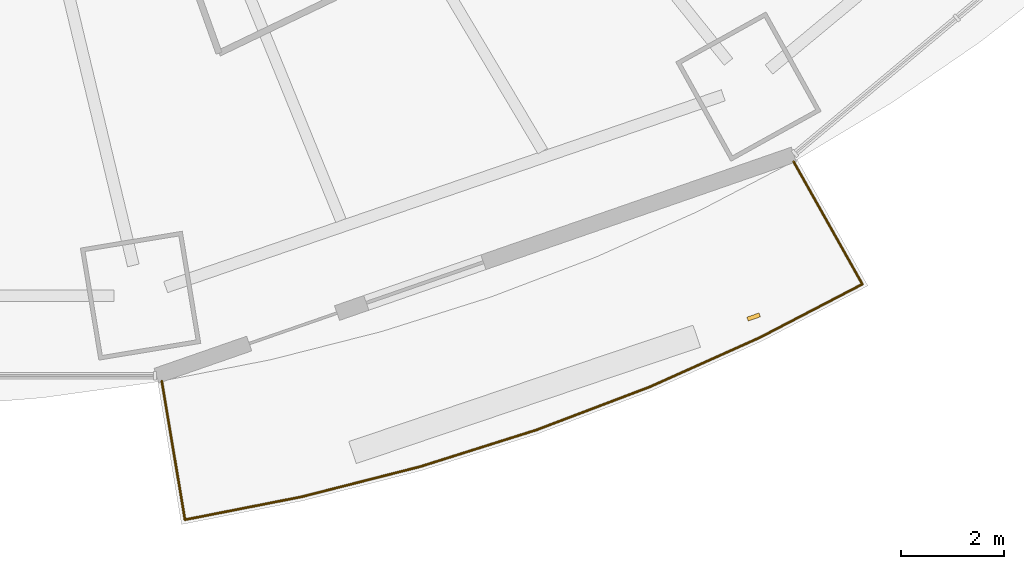
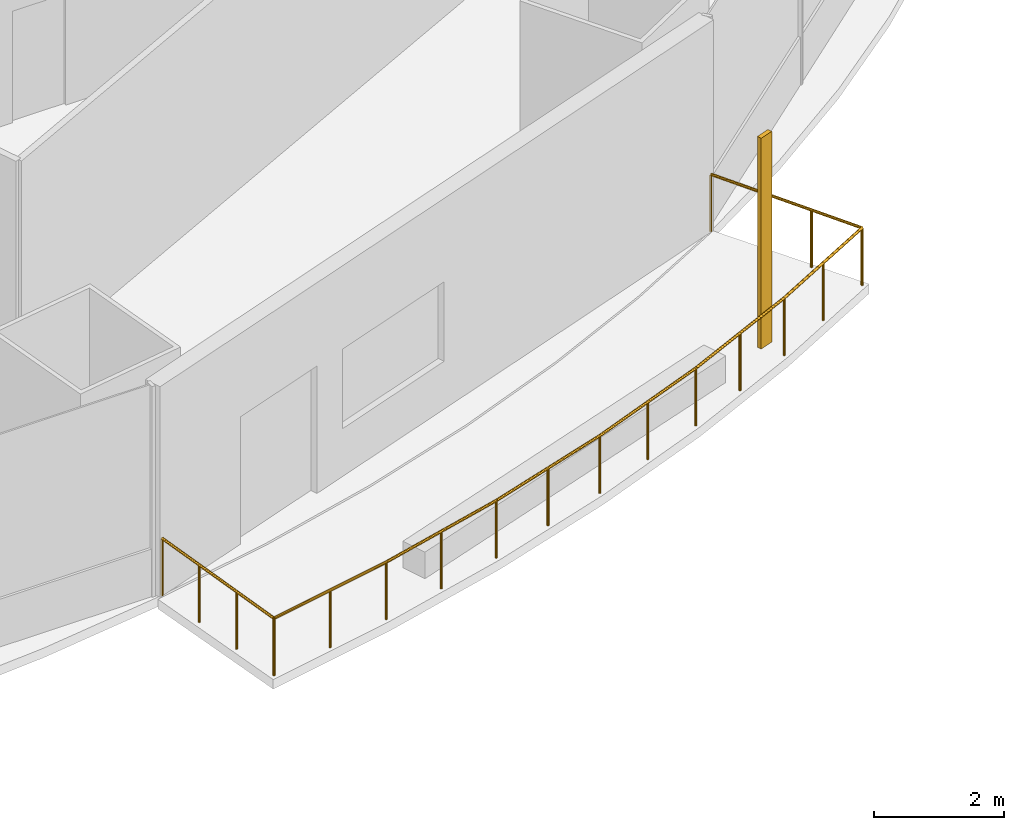
# One storey, part 18 of 22: 1 railing, 1 shading device.
"""IFC4 building model written with IfcOpenShell, lengths in metres."""

from ifc_helpers import new_model, si_unit, direction, frame, origin, origin_2d, place, context, subcontext, project, spatial, rectangle, circle, extrude, material, material_profile, profile_set, type_object, element, save


model = new_model("IFC4")

# Units and contexts
model_context = context("Model", 3, precision=1e-05, world=origin(), true_north=direction((0.0, 1.0)))
body_context = subcontext(model_context, "Body", "Model", "MODEL_VIEW")
ifc_project = project(units=[si_unit("LENGTHUNIT", "METRE"), si_unit("AREAUNIT", "SQUARE_METRE"), si_unit("VOLUMEUNIT", "CUBIC_METRE"), si_unit("PLANEANGLEUNIT", "RADIAN"), si_unit("MASSUNIT", "GRAM", prefix="KILO")], contexts=[model_context])

# Site, building, storey
site_placement = place(None, origin())
site = spatial("IfcSite", under=ifc_project, at=site_placement, CompositionType="ELEMENT")
building_placement = place(site_placement, origin())
building = spatial("IfcBuilding", under=site, at=building_placement, Name="Marenthal Gate Tower", CompositionType="ELEMENT")
storey_placement = place(building_placement, frame((0.0, 0.0, 116.0)))
storey = spatial("IfcBuildingStorey", under=building, at=storey_placement, Name="L24", CompositionType="ELEMENT", Elevation=116.0)

# Railing
ifc_material_1 = material(Name="Stainless steel", Category="steel")
railing_type = type_object("IfcRailingType", Name="Balcony guard 1100", PredefinedType="GUARDRAIL", material=ifc_material_1)
railing_placement = place(storey_placement, frame((19.01171875, -23.9921875, 0.0)))
element("IfcRailing", 1, at=railing_placement, inside=storey, type_object=railing_type, Name="Balcony guard L24 bay 13", PredefinedType="GUARDRAIL", context=body_context, shape_type="SweptSolid", body=[
    extrude(circle(Radius=0.02392578125, at=origin_2d()), frame((0.0, 0.0, 1.076171875), z_axis=(0.489197979897, -0.87204857286, -0.014718119373), x_axis=(0.872143041114, 0.489250974283, 0.0)), (0.0, 0.0, 1.0), 2.720458984375),
    extrude(circle(Radius=0.02392578125, at=origin_2d()), frame((1.330810546875, -2.372314453125, 1.0361328125), z_axis=(-0.887125590865, -0.461528098855, 0.0), x_axis=(0.461528098855, -0.887125590865, 0.0)), (0.0, 0.0, 1.0), 2.235595703125),
    extrude(circle(Radius=0.02392578125, at=origin_2d()), frame((-0.65234375, -3.404052734375, 1.0361328125), z_axis=(-0.912494502903, -0.409088966083, 0.0), x_axis=(0.409088966083, -0.912494502903, 0.0)), (0.0, 0.0, 1.0), 2.332275390625),
    extrude(circle(Radius=0.02392578125, at=origin_2d()), frame((-2.780517578125, -4.358154296875, 1.0361328125), z_axis=(-0.934764240257, -0.35526865206, 0.0), x_axis=(0.35526865206, -0.934764240257, 0.0)), (0.0, 0.0, 1.0), 2.347412109375),
    extrude(circle(Radius=0.02392578125, at=origin_2d()), frame((-4.974853515625, -5.192138671875, 1.0361328125), z_axis=(-0.953609232067, -0.30104722639, 0.0), x_axis=(0.30104722639, -0.953609232067, 0.0)), (0.0, 0.0, 1.0), 2.36083984375),
    extrude(circle(Radius=0.02392578125, at=origin_2d()), frame((-7.22607421875, -5.90283203125, 1.0361328125), z_axis=(-0.969104776695, -0.246649410675, 0.0), x_axis=(0.246649410675, -0.969104776695, 0.0)), (0.0, 0.0, 1.0), 2.37255859375),
    extrude(circle(Radius=0.02392578125, at=origin_2d()), frame((-9.525390625, -6.488037109375, 1.0361328125), z_axis=(-0.981215853429, -0.192913060677, 0.0), x_axis=(0.192913060677, -0.981215853429, 0.0)), (0.0, 0.0, 1.0), 2.302001953125),
    extrude(circle(Radius=0.02392578125, at=origin_2d()), frame((-11.7841796875, -6.93212890625, 1.0361328125), z_axis=(-0.164686797849, 0.986236088047, 0.014718602097), x_axis=(-0.986342933143, -0.164704639396, 0.0)), (0.0, 0.0, 1.0), 2.72021484375),
    extrude(circle(Radius=0.02099609375, at=origin_2d()), origin(), (0.0, 0.0, 1.0), 1.052001953125),
    extrude(circle(Radius=0.02099609375, at=origin_2d()), frame((0.443603515625, -0.790771484375, -0.013427734375)), (0.0, 0.0, 1.0), 1.052001953125),
    extrude(circle(Radius=0.02099609375, at=origin_2d()), frame((0.88720703125, -1.58154296875, -0.026611328125)), (0.0, 0.0, 1.0), 1.052001953125),
    extrude(circle(Radius=0.02099609375, at=origin_2d()), frame((1.330810546875, -2.372314453125, -0.0400390625)), (0.0, 0.0, 1.0), 1.052001953125),
    extrude(circle(Radius=0.02099609375, at=origin_2d()), frame((0.33935546875, -2.88818359375, -0.0400390625)), (0.0, 0.0, 1.0), 1.052001953125),
    extrude(circle(Radius=0.02099609375, at=origin_2d()), frame((-0.65234375, -3.404052734375, -0.0400390625)), (0.0, 0.0, 1.0), 1.052001953125),
    extrude(circle(Radius=0.02099609375, at=origin_2d()), frame((-1.71630859375, -3.881103515625, -0.0400390625)), (0.0, 0.0, 1.0), 1.052001953125),
    extrude(circle(Radius=0.02099609375, at=origin_2d()), frame((-2.780517578125, -4.358154296875, -0.0400390625)), (0.0, 0.0, 1.0), 1.052001953125),
    extrude(circle(Radius=0.02099609375, at=origin_2d()), frame((-3.877685546875, -4.775146484375, -0.0400390625)), (0.0, 0.0, 1.0), 1.052001953125),
    extrude(circle(Radius=0.02099609375, at=origin_2d()), frame((-4.974853515625, -5.192138671875, -0.0400390625)), (0.0, 0.0, 1.0), 1.052001953125),
    extrude(circle(Radius=0.02099609375, at=origin_2d()), frame((-6.1005859375, -5.54736328125, -0.0400390625)), (0.0, 0.0, 1.0), 1.052001953125),
    extrude(circle(Radius=0.02099609375, at=origin_2d()), frame((-7.22607421875, -5.90283203125, -0.0400390625)), (0.0, 0.0, 1.0), 1.052001953125),
    extrude(circle(Radius=0.02099609375, at=origin_2d()), frame((-8.375732421875, -6.1953125, -0.0400390625)), (0.0, 0.0, 1.0), 1.052001953125),
    extrude(circle(Radius=0.02099609375, at=origin_2d()), frame((-9.525390625, -6.488037109375, -0.0400390625)), (0.0, 0.0, 1.0), 1.052001953125),
    extrude(circle(Radius=0.02099609375, at=origin_2d()), frame((-10.65478515625, -6.7099609375, -0.0400390625)), (0.0, 0.0, 1.0), 1.052001953125),
    extrude(circle(Radius=0.02099609375, at=origin_2d()), frame((-11.7841796875, -6.93212890625, -0.0400390625)), (0.0, 0.0, 1.0), 1.052001953125),
    extrude(circle(Radius=0.02099609375, at=origin_2d()), frame((-11.93359375, -6.037841796875, -0.026611328125)), (0.0, 0.0, 1.0), 1.052001953125),
    extrude(circle(Radius=0.02099609375, at=origin_2d()), frame((-12.082763671875, -5.1435546875, -0.013427734375)), (0.0, 0.0, 1.0), 1.052001953125),
    extrude(circle(Radius=0.02099609375, at=origin_2d()), frame((-12.232177734375, -4.249267578125, 0.0)), (0.0, 0.0, 1.0), 1.052001953125),
])

# Shading device
ifc_material_2 = material(Name="Terracotta", Category="masonry")
ifc_material_profile = material_profile(ifc_material_2, rectangle(XDim=0.25, YDim=0.080078125, at=origin_2d()), Name="Terracotta baguette 250x80")
ifc_profile_set = profile_set([ifc_material_profile], Name="Terracotta")
shading_device_type = type_object("IfcShadingDeviceType", Name="Terracotta BAGUETTE SCREEN 250x80", PredefinedType="USERDEFINED", material=ifc_profile_set)
shading_device_placement = place(storey_placement, frame((18.238037109375, -26.999267578125, -0.0400390625), z_axis=(0.0, 0.0, 1.0), x_axis=(0.94459732274, 0.328231469959, 0.0)))
element("IfcShadingDevice", 2, at=shading_device_placement, inside=storey, type_object=shading_device_type, Name="Terracotta BAGUETTE L24 bay 13R", ObjectType="BAGUETTE SCREEN", PredefinedType="USERDEFINED", context=body_context, shape_type="SweptSolid", body=[
    extrude(rectangle(XDim=0.25, YDim=0.080078125, at=origin_2d()), origin(), (0.0, 0.0, 1.0), 3.969970703125),
])

save(model, "model.ifc")
